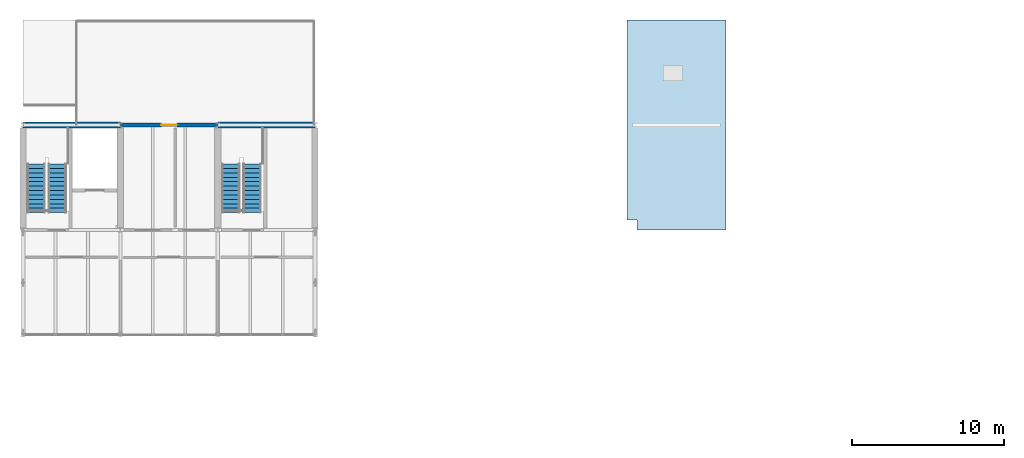
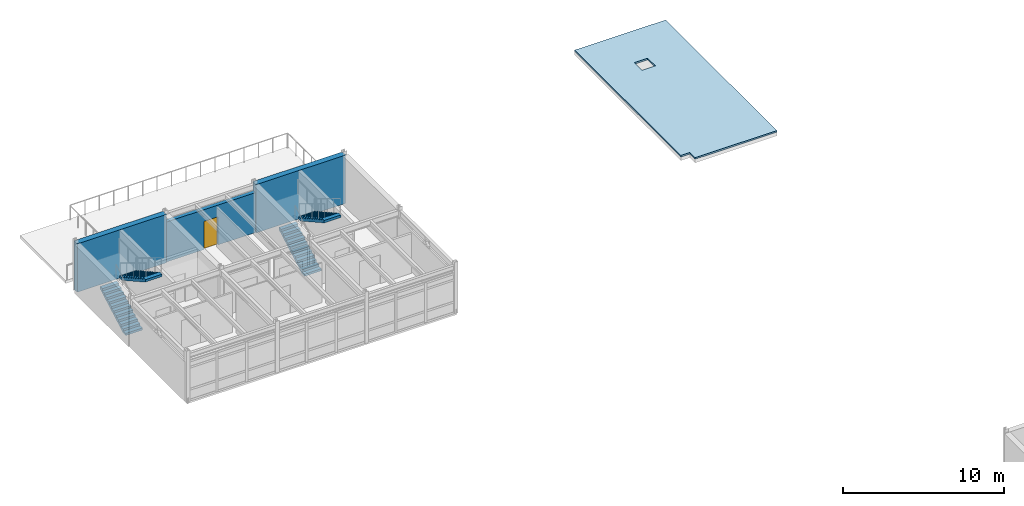
# One storey, part 18 of 20: 4 stair flights, 3 walls, 1 door, 1 roof, 1 opening, 2 elements without a shape of their own.
"""IFC4 building model written with IfcOpenShell, lengths in metres."""

from ifc_helpers import new_model, si_unit, direction, frame, frame_2d, origin, place, context, subcontext, project, spatial, polyline, rectangle, outline, extrude, material, layer, layer_set, type_object, element, fill, aggregate, save


model = new_model("IFC4")

# Units and contexts
model_context = context("Model", 3, precision=1e-05, world=origin(), true_north=direction((0.0, 1.0)))
body_context = subcontext(model_context, "Body", "Model", "MODEL_VIEW")
ifc_project = project(units=[si_unit("LENGTHUNIT", "METRE"), si_unit("AREAUNIT", "SQUARE_METRE"), si_unit("VOLUMEUNIT", "CUBIC_METRE"), si_unit("PLANEANGLEUNIT", "RADIAN"), si_unit("MASSUNIT", "GRAM", prefix="KILO")], contexts=[model_context])

# Site, building, storey
site_placement = place(None, origin())
site = spatial("IfcSite", under=ifc_project, at=site_placement, CompositionType="ELEMENT")
building_placement = place(site_placement, origin())
building = spatial("IfcBuilding", under=site, at=building_placement, Name="Trelmorton Wharf Fire Station", CompositionType="ELEMENT")
storey_placement = place(building_placement, frame((0.0, 0.0, 21.300048828125)))
storey = spatial("IfcBuildingStorey", under=building, at=storey_placement, Name="L05", CompositionType="ELEMENT", Elevation=21.300048828125)

# Wall, opening, door
ifc_material_1 = material(Name="Precast concrete 45 MPa", Category="concrete")
ifc_layer_1 = layer(ifc_material_1, 0.27001953125)
ifc_layer_set_1 = layer_set([ifc_layer_1], Name="Precast concrete 45 MPa")
wall_type_1 = type_object("IfcWallType", Name="EW_PREC_270", PredefinedType="SOLIDWALL", material=ifc_layer_set_1)
wall_placement = place(storey_placement, frame((77.205078125, 74.10009765625, 0.0), z_axis=(0.0, 0.0, 1.0), x_axis=(1.0, 0.0, 0.0)))
wall = element("IfcWall", 1, at=wall_placement, inside=storey, type_object=wall_type_1, Name="EW-V2-L05-0194", PredefinedType="SOLIDWALL", context=body_context, shape_type="SweptSolid", body=[
    extrude(rectangle(XDim=6.389892578125, YDim=0.27001953125, at=frame_2d((3.19482421875, 0.0))), origin(), (0.0, 0.0, 1.0), 3.02001953125),
])
opening_placement = place(wall_placement, frame((2.68505859375, 0.0, 0.0)))
opening = element("IfcOpeningElement", 2, at=opening_placement, cuts=wall, Name="Opening TD-030", PredefinedType="OPENING", context=body_context, shape_type="SweptSolid", body=[
    extrude(rectangle(XDim=1.02001953125, YDim=2.139892578125, at=frame_2d((0.510009765625, 1.06982421875))), frame((0.0, 0.14501953125, 0.0), z_axis=(0.0, -1.0, 0.0), x_axis=(1.0, 0.0, 0.0)), (0.0, 0.0, 1.0), 0.2900390625),
])
ifc_material_2 = material(Name="Anodised aluminium AW-6063", Category="aluminium")
door_type = type_object("IfcDoorType", Name="DR_TER_SGL_102", OperationType="NOTDEFINED", PredefinedType="DOOR", material=ifc_material_2)
door_placement = place(opening_placement, origin())
door = element("IfcDoor", 3, at=door_placement, inside=storey, type_object=door_type, Name="Terrace Door TD-030", OperationType="SINGLE_SWING_LEFT", OverallHeight=2.139892578125, OverallWidth=1.02001953125, PredefinedType="DOOR", context=body_context, shape_type="SweptSolid", body=[
    extrude(rectangle(XDim=1.02001953125, YDim=2.139892578125, at=frame_2d((0.510009765625, 1.06982421875))), frame((0.0, 0.02490234375, 0.0), z_axis=(0.0, -1.0, 0.0), x_axis=(1.0, 0.0, 0.0)), (0.0, 0.0, 1.0), 0.050048828125),
])
fill(opening, door)

# Walls
ifc_material_3 = material(Name="Concrete 50 MPa", Category="concrete")
ifc_layer_2 = layer(ifc_material_3, 0.39990234375)
ifc_layer_set_2 = layer_set([ifc_layer_2], Name="Concrete 50 MPa")
wall_type_2 = type_object("IfcWallType", Name="WL_CORE_400", PredefinedType="SHEAR", material=ifc_layer_set_2)
for number, where, z_axis, x_axis, name in (
    (4, (70.800048828125, 74.10009765625, 0.0), (0.0, 0.0, 1.0), (1.0, 0.0, 0.0), "WL-SW-C6-L05-097"),
    (5, (83.60009765625, 74.10009765625, 0.0), (0.0, 0.0, 1.0), (1.0, 0.0, 0.0), "WL-SW-C6B-L05-118"),
):
    element("IfcWall", number, at=place(storey_placement, frame(where, z_axis=z_axis, x_axis=x_axis)), inside=storey, type_object=wall_type_2, Name=name, PredefinedType="SHEAR", context=body_context, shape_type="SweptSolid", body=[
        extrude(rectangle(XDim=6.39990234375, YDim=0.39990234375, at=frame_2d((3.199951171875, 0.0))), origin(), (0.0, 0.0, 1.0), 3.659912109375),
    ])

# Stair, stair flights
stair_type = type_object("IfcStairType", Name="ST_DOG_390", PredefinedType="HALF_TURN_STAIR", material=ifc_material_1)
stair_1_placement = place(storey_placement, origin())
stair_1 = element("IfcStair", 6, at=stair_1_placement, inside=storey, type_object=stair_type, Name="Escape Stair ST8-L05", PredefinedType="HALF_TURN_STAIR")
ifc_layer_3 = layer(ifc_material_1, 0.139892578125)
ifc_layer_set_3 = layer_set([ifc_layer_3], Name="Precast concrete 45 MPa")
stair_flight_type = type_object("IfcStairFlightType", Name="SF_PRE_120", PredefinedType="STRAIGHT", material=ifc_layer_set_3)
stair_flight_1_placement = place(storey_placement, frame((71.659912109375, 68.340087890625, 0.0), z_axis=(0.0, 0.0, 1.0), x_axis=(0.0, 1.0, 0.0)))
stair_flight_1 = element("IfcStairFlight", 7, at=stair_flight_1_placement, type_object=stair_flight_type, Name="ST8-L05 flight 1", NumberOfRisers=12, NumberOfTreads=11, PredefinedType="STRAIGHT", RiserHeight=0.1625, TreadLength=0.29, context=body_context, shape_type="SweptSolid", body=[
    extrude(outline(polyline([(0.0, 0.0), (0.0, 0.16259765625), (0.2900390625, 0.16259765625), (0.2900390625, 0.324951171875), (0.580078125, 0.324951171875), (0.580078125, 0.487548828125), (0.8701171875, 0.487548828125), (0.8701171875, 0.64990234375), (1.159912109375, 0.64990234375), (1.159912109375, 0.8125), (1.449951171875, 0.8125), (1.449951171875, 0.97509765625), (1.739990234375, 0.97509765625), (1.739990234375, 1.137451171875), (2.030029296875, 1.137451171875), (2.030029296875, 1.300048828125), (2.320068359375, 1.300048828125), (2.320068359375, 1.46240234375), (2.610107421875, 1.46240234375), (2.610107421875, 1.625), (2.89990234375, 1.625), (2.89990234375, 1.78759765625), (3.18994140625, 1.78759765625), (3.18994140625, 1.949951171875), (3.18994140625, 1.604248046875), (0.3271484375, 0.0), (0.0, 0.0)])), frame((0.0, 0.60009765625, 0.0), z_axis=(0.0, -1.0, 0.0), x_axis=(1.0, 0.0, 0.0)), (0.0, 0.0, 1.0), 1.199951171875),
])
stair_flight_2_placement = place(storey_placement, frame((73.06005859375, 71.530029296875, 1.949951171875), z_axis=(0.0, 0.0, 1.0), x_axis=(0.0, -1.0, 0.0)))
stair_flight_2 = element("IfcStairFlight", 8, at=stair_flight_2_placement, type_object=stair_flight_type, Name="ST8-L05 flight 2", NumberOfRisers=12, NumberOfTreads=11, PredefinedType="STRAIGHT", RiserHeight=0.1625, TreadLength=0.29, context=body_context, shape_type="SweptSolid", body=[
    extrude(outline(polyline([(0.0, 0.0), (0.0, 0.16259765625), (0.2900390625, 0.16259765625), (0.2900390625, 0.324951171875), (0.580078125, 0.324951171875), (0.580078125, 0.487548828125), (0.8701171875, 0.487548828125), (0.8701171875, 0.64990234375), (1.159912109375, 0.64990234375), (1.159912109375, 0.8125), (1.449951171875, 0.8125), (1.449951171875, 0.97509765625), (1.739990234375, 0.97509765625), (1.739990234375, 1.137451171875), (2.030029296875, 1.137451171875), (2.030029296875, 1.300048828125), (2.320068359375, 1.300048828125), (2.320068359375, 1.46240234375), (2.610107421875, 1.46240234375), (2.610107421875, 1.625), (2.89990234375, 1.625), (2.89990234375, 1.78759765625), (3.18994140625, 1.78759765625), (3.18994140625, 1.949951171875), (3.18994140625, 1.604248046875), (0.3271484375, 0.0), (0.0, 0.0)])), frame((0.0, 0.60009765625, 0.0), z_axis=(0.0, -1.0, 0.0), x_axis=(1.0, 0.0, 0.0)), (0.0, 0.0, 1.0), 1.199951171875),
])
aggregate(stair_1, [stair_flight_1, stair_flight_2])

stair_2_placement = place(storey_placement, origin())
stair_2 = element("IfcStair", 9, at=stair_2_placement, inside=storey, type_object=stair_type, Name="Escape Stair ST9-L05", PredefinedType="HALF_TURN_STAIR")
stair_flight_3_placement = place(storey_placement, frame((84.4599609375, 68.340087890625, 0.0), z_axis=(0.0, 0.0, 1.0), x_axis=(0.0, 1.0, 0.0)))
stair_flight_3 = element("IfcStairFlight", 10, at=stair_flight_3_placement, type_object=stair_flight_type, Name="ST9-L05 flight 1", NumberOfRisers=12, NumberOfTreads=11, PredefinedType="STRAIGHT", RiserHeight=0.1625, TreadLength=0.29, context=body_context, shape_type="SweptSolid", body=[
    extrude(outline(polyline([(0.0, 0.0), (0.0, 0.16259765625), (0.2900390625, 0.16259765625), (0.2900390625, 0.324951171875), (0.580078125, 0.324951171875), (0.580078125, 0.487548828125), (0.8701171875, 0.487548828125), (0.8701171875, 0.64990234375), (1.159912109375, 0.64990234375), (1.159912109375, 0.8125), (1.449951171875, 0.8125), (1.449951171875, 0.97509765625), (1.739990234375, 0.97509765625), (1.739990234375, 1.137451171875), (2.030029296875, 1.137451171875), (2.030029296875, 1.300048828125), (2.320068359375, 1.300048828125), (2.320068359375, 1.46240234375), (2.610107421875, 1.46240234375), (2.610107421875, 1.625), (2.89990234375, 1.625), (2.89990234375, 1.78759765625), (3.18994140625, 1.78759765625), (3.18994140625, 1.949951171875), (3.18994140625, 1.604248046875), (0.3271484375, 0.0), (0.0, 0.0)])), frame((0.0, 0.60009765625, 0.0), z_axis=(0.0, -1.0, 0.0), x_axis=(1.0, 0.0, 0.0)), (0.0, 0.0, 1.0), 1.199951171875),
])
stair_flight_4_placement = place(storey_placement, frame((85.860107421875, 71.530029296875, 1.949951171875), z_axis=(0.0, 0.0, 1.0), x_axis=(0.0, -1.0, 0.0)))
stair_flight_4 = element("IfcStairFlight", 11, at=stair_flight_4_placement, type_object=stair_flight_type, Name="ST9-L05 flight 2", NumberOfRisers=12, NumberOfTreads=11, PredefinedType="STRAIGHT", RiserHeight=0.1625, TreadLength=0.29, context=body_context, shape_type="SweptSolid", body=[
    extrude(outline(polyline([(0.0, 0.0), (0.0, 0.16259765625), (0.2900390625, 0.16259765625), (0.2900390625, 0.324951171875), (0.580078125, 0.324951171875), (0.580078125, 0.487548828125), (0.8701171875, 0.487548828125), (0.8701171875, 0.64990234375), (1.159912109375, 0.64990234375), (1.159912109375, 0.8125), (1.449951171875, 0.8125), (1.449951171875, 0.97509765625), (1.739990234375, 0.97509765625), (1.739990234375, 1.137451171875), (2.030029296875, 1.137451171875), (2.030029296875, 1.300048828125), (2.320068359375, 1.300048828125), (2.320068359375, 1.46240234375), (2.610107421875, 1.46240234375), (2.610107421875, 1.625), (2.89990234375, 1.625), (2.89990234375, 1.78759765625), (3.18994140625, 1.78759765625), (3.18994140625, 1.949951171875), (3.18994140625, 1.604248046875), (0.3271484375, 0.0), (0.0, 0.0)])), frame((0.0, 0.60009765625, 0.0), z_axis=(0.0, -1.0, 0.0), x_axis=(1.0, 0.0, 0.0)), (0.0, 0.0, 1.0), 1.199951171875),
])
aggregate(stair_2, [stair_flight_3, stair_flight_4])

# Roof
ifc_material_4 = material(Name="Planted roof substrate and sedum")
ifc_layer_4 = layer(ifc_material_4, 0.1201171875)
ifc_layer_set_4 = layer_set([ifc_layer_4], Name="Planted roof substrate and sedum")
roof_type = type_object("IfcRoofType", Name="RF_PLANTED_DECK", PredefinedType="FLAT_ROOF", material=ifc_layer_set_4)
roof_placement = place(storey_placement, origin())
element("IfcRoof", 12, at=roof_placement, inside=storey, type_object=roof_type, Name="RF-FLAT-V4-HH", PredefinedType="FLAT_ROOF", context=body_context, shape_type="SweptSolid", body=[
    extrude(outline(polyline([(117.0, 81.0), (117.0, 67.199951171875), (111.14990234375, 67.199951171875), (111.14990234375, 67.85009765625), (110.5, 67.85009765625), (110.5, 81.0), (117.0, 81.0)]), holes=[polyline([(113.97509765625, 77.97509765625), (113.02490234375, 77.97509765625), (113.02490234375, 77.02490234375), (113.97509765625, 77.02490234375), (113.97509765625, 77.97509765625)])]), origin(), (0.0, 0.0, 1.0), 0.119873046875),
])

save(model, "model.ifc")
